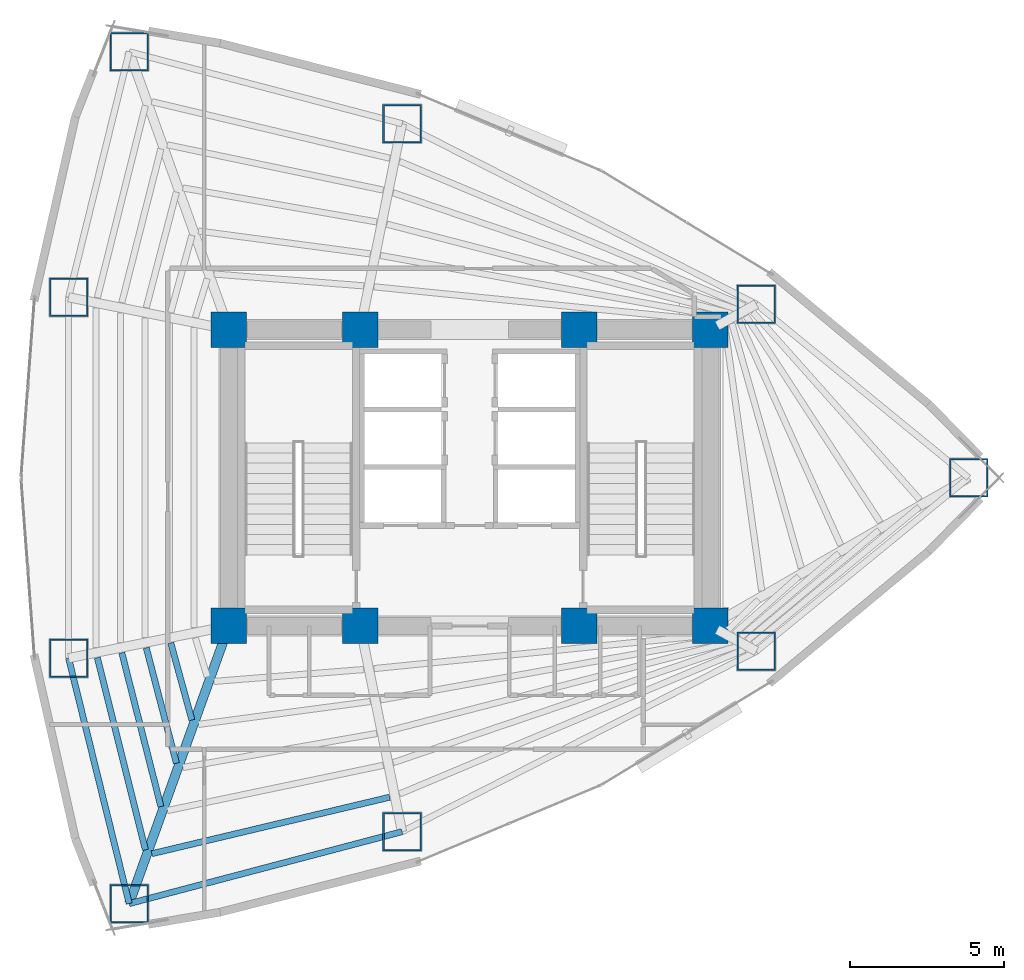
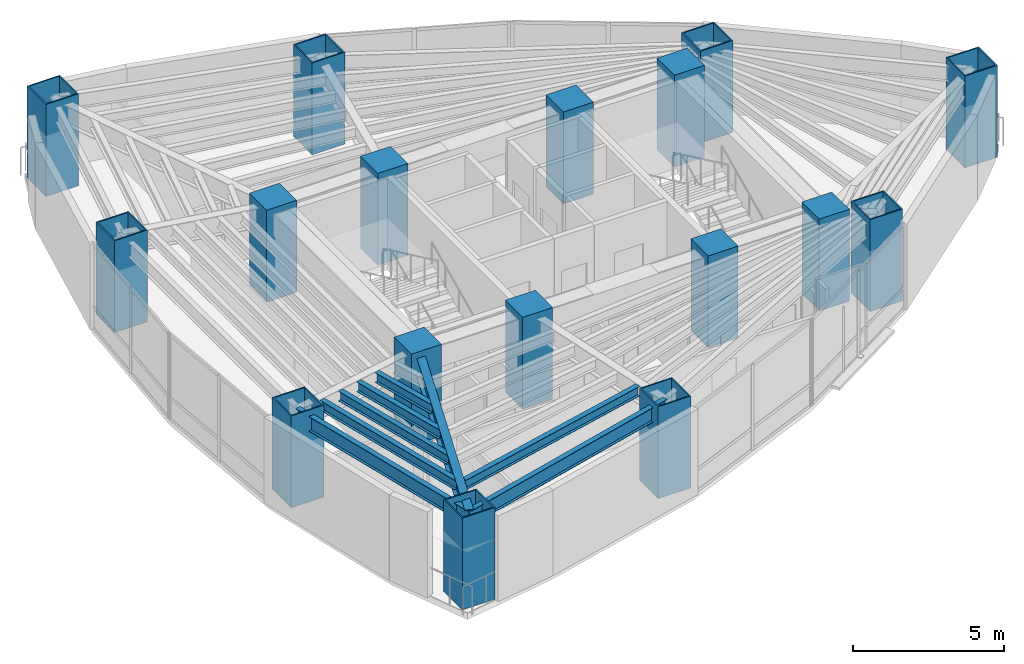
# One storey, part 1 of 18: 17 columns, 8 beams.
"""IFC4 building model written with IfcOpenShell, lengths in metres."""

from ifc_helpers import new_model, si_unit, direction, frame, origin, origin_2d, place, context, subcontext, project, spatial, rectangle, hollow_rectangle, i_section, extrude, material, material_profile, profile_set, type_object, element, save


model = new_model("IFC4")

# Units and contexts
model_context = context("Model", 3, precision=1e-05, world=origin(), true_north=direction((0.0, 1.0)))
body_context = subcontext(model_context, "Body", "Model", "MODEL_VIEW")
ifc_project = project(units=[si_unit("LENGTHUNIT", "METRE"), si_unit("AREAUNIT", "SQUARE_METRE"), si_unit("VOLUMEUNIT", "CUBIC_METRE"), si_unit("PLANEANGLEUNIT", "RADIAN"), si_unit("MASSUNIT", "GRAM", prefix="KILO")], contexts=[model_context])

# Site, building, storey
site_placement = place(None, origin())
site = spatial("IfcSite", under=ifc_project, at=site_placement, CompositionType="ELEMENT")
building_placement = place(site_placement, origin())
building = spatial("IfcBuilding", under=site, at=building_placement, Name="Menara Vayukalpa", CompositionType="ELEMENT")
storey_placement = place(building_placement, frame((0.0, 0.0, 96.5400390625)))
storey = spatial("IfcBuildingStorey", under=building, at=storey_placement, Name="L23", CompositionType="ELEMENT", Elevation=96.5400390625)

# Columns
ifc_material_1 = material(Name="Concrete C80/95", Category="concrete")
ifc_material_profile_1 = material_profile(ifc_material_1, rectangle(XDim=1.14990234375, YDim=1.14990234375, at=origin_2d()), Name="RC 1150x1150")
ifc_profile_set_1 = profile_set([ifc_material_profile_1], Name="Concrete C80/95")
column_type_1 = type_object("IfcColumnType", Name="COL-CC1", PredefinedType="COLUMN", material=ifc_profile_set_1)
for number, where, z_axis, x_axis, name in (
    (1, (17.800048828125, 17.199951171875, 0.0), (0.0, 0.0, 1.0), (1.0, 0.0, 0.0), "L23 Core Pilaster Column CC1"),
    (2, (22.050048828125, 17.199951171875, 0.0), (0.0, 0.0, 1.0), (1.0, 0.0, 0.0), "L23 Core Pilaster Column CC2"),
    (3, (29.14990234375, 17.199951171875, 0.0), (0.0, 0.0, 1.0), (1.0, 0.0, 0.0), "L23 Core Pilaster Column CC3"),
    (4, (33.39990234375, 17.199951171875, 0.0), (0.0, 0.0, 1.0), (1.0, 0.0, 0.0), "L23 Core Pilaster Column CC4"),
    (5, (17.800048828125, 26.800048828125, 0.0), (0.0, 0.0, 1.0), (1.0, 0.0, 0.0), "L23 Core Pilaster Column CC5"),
    (6, (22.050048828125, 26.800048828125, 0.0), (0.0, 0.0, 1.0), (1.0, 0.0, 0.0), "L23 Core Pilaster Column CC6"),
    (7, (29.14990234375, 26.800048828125, 0.0), (0.0, 0.0, 1.0), (1.0, 0.0, 0.0), "L23 Core Pilaster Column CC7"),
    (8, (33.39990234375, 26.800048828125, 0.0), (0.0, 0.0, 1.0), (1.0, 0.0, 0.0), "L23 Core Pilaster Column CC8"),
):
    element("IfcColumn", number, at=place(storey_placement, frame(where, z_axis=z_axis, x_axis=x_axis)), inside=storey, type_object=column_type_1, Name=name, PredefinedType="COLUMN", context=body_context, shape_type="SweptSolid", body=[
        extrude(rectangle(XDim=1.14990234375, YDim=1.14990234375, at=origin_2d()), origin(), (0.0, 0.0, 1.0), 3.719970703125),
    ])
ifc_material_2 = material(Name="Steel S460", Category="steel")
ifc_material_profile_2 = material_profile(ifc_material_2, hollow_rectangle(XDim=1.25, YDim=1.25, WallThickness=0.050048828125, at=origin_2d()), Name="BOX 1250x1250x50")
ifc_profile_set_2 = profile_set([ifc_material_profile_2], Name="Steel S460")
column_type_2 = type_object("IfcColumnType", Name="COL-MC2", PredefinedType="COLUMN", material=ifc_profile_set_2)
for number, where, z_axis, x_axis, name in (
    (9, (41.761962890625, 22.0, 0.0), (0.0, 0.0, 1.0), (1.0, 0.0, 0.0), "L23 Perimeter Mega Column P01"),
    (10, (34.88671875, 27.62158203125, 0.0), (0.0, 0.0, 1.0), (1.0, 0.0, 0.0), "L23 Perimeter Mega Column P02"),
    (11, (23.408203125, 33.46728515625, 0.0), (0.0, 0.0, 1.0), (1.0, 0.0, 0.0), "L23 Perimeter Mega Column P03"),
    (12, (14.569091796875, 35.79736328125, 0.0), (0.0, 0.0, 1.0), (1.0, 0.0, 0.0), "L23 Perimeter Mega Column P04"),
    (13, (12.606689453125, 27.845703125, 0.0), (0.0, 0.0, 1.0), (1.0, 0.0, 0.0), "L23 Perimeter Mega Column P05"),
    (14, (12.606689453125, 16.154296875, 0.0), (0.0, 0.0, 1.0), (1.0, 0.0, 0.0), "L23 Perimeter Mega Column P06"),
    (15, (14.569091796875, 8.20263671875, 0.0), (0.0, 0.0, 1.0), (1.0, 0.0, 0.0), "L23 Perimeter Mega Column P07"),
    (16, (23.408203125, 10.53271484375, 0.0), (0.0, 0.0, 1.0), (1.0, 0.0, 0.0), "L23 Perimeter Mega Column P08"),
    (17, (34.88671875, 16.37841796875, 0.0), (0.0, 0.0, 1.0), (1.0, 0.0, 0.0), "L23 Perimeter Mega Column P09"),
):
    element("IfcColumn", number, at=place(storey_placement, frame(where, z_axis=z_axis, x_axis=x_axis)), inside=storey, type_object=column_type_2, Name=name, PredefinedType="COLUMN", context=body_context, shape_type="SweptSolid", body=[
        extrude(hollow_rectangle(XDim=1.25, YDim=1.25, WallThickness=0.050048828125, at=origin_2d()), origin(), (0.0, 0.0, 1.0), 3.719970703125),
    ])

# Beams
ifc_material_3 = material(Name="Steel S355", Category="steel")
ifc_material_profile_3 = material_profile(ifc_material_3, i_section(OverallWidth=0.300048828125, OverallDepth=0.800048828125, WebThickness=0.013916015625, FlangeThickness=0.02587890625, at=origin_2d()), Name="WF 800x300x14x26")
ifc_profile_set_3 = profile_set([ifc_material_profile_3], Name="Steel S355")
beam_type_1 = type_object("IfcBeamType", Name="BM-PG3", PredefinedType="BEAM", material=ifc_profile_set_3)
beam_1_placement = place(storey_placement, frame((17.715576171875, 16.964599609375, 3.070068359375), z_axis=(-0.337975542909, -0.941154892882, 0.0), x_axis=(0.941154892882, -0.337975542909, 0.0)))
element("IfcBeam", 18, at=beam_1_placement, inside=storey, type_object=beam_type_1, Name="L23 Primary Radial Girder RG07", PredefinedType="BEAM", context=body_context, shape_type="SweptSolid", body=[
    extrude(i_section(OverallWidth=0.300048828125, OverallDepth=0.800048828125, WebThickness=0.013916015625, FlangeThickness=0.02587890625, at=origin_2d()), origin(), (0.0, 0.0, 1.0), 9.309814453125),
])
ifc_material_4 = material(Name="Steel S355", Category="steel")
ifc_material_profile_4 = material_profile(ifc_material_4, i_section(OverallWidth=0.199951171875, OverallDepth=0.39990234375, WebThickness=0.008056640625, FlangeThickness=0.012939453125, at=origin_2d()), Name="WF 400x200x8x13")
ifc_profile_set_4 = profile_set([ifc_material_profile_4], Name="Steel S355")
beam_type_2 = type_object("IfcBeamType", Name="BM-SJ2", PredefinedType="JOIST", material=ifc_profile_set_4)
beam_2_placement = place(storey_placement, frame((15.917236328125, 16.64794921875, 3.27001953125), z_axis=(0.263922858843, -0.964543790908, 0.0), x_axis=(0.964543790908, 0.263922858843, 0.0)))
element("IfcBeam", 19, at=beam_2_placement, inside=storey, type_object=beam_type_2, Name="L23 Secondary Floor Joist SJ06-2", PredefinedType="JOIST", context=body_context, shape_type="SweptSolid", body=[
    extrude(i_section(OverallWidth=0.199951171875, OverallDepth=0.39990234375, WebThickness=0.008056640625, FlangeThickness=0.012939453125, at=origin_2d()), origin(), (0.0, 0.0, 1.0), 2.590087890625),
])
beam_3_placement = place(storey_placement, frame((15.123779296875, 16.488037109375, 3.27001953125), z_axis=(0.252406469257, -0.967621296933, 0.0), x_axis=(0.967621296933, 0.252406469257, 0.0)))
element("IfcBeam", 20, at=beam_3_placement, inside=storey, type_object=beam_type_2, Name="L23 Secondary Floor Joist SJ06-3", PredefinedType="JOIST", context=body_context, shape_type="SweptSolid", body=[
    extrude(i_section(OverallWidth=0.199951171875, OverallDepth=0.39990234375, WebThickness=0.008056640625, FlangeThickness=0.012939453125, at=origin_2d()), origin(), (0.0, 0.0, 1.0), 3.865234375),
])
beam_4_placement = place(storey_placement, frame((14.330810546875, 16.328369140625, 3.27001953125), z_axis=(0.246311066692, -0.969190826631, 0.0), x_axis=(0.969190826631, 0.246311066692, 0.0)))
element("IfcBeam", 21, at=beam_4_placement, inside=storey, type_object=beam_type_2, Name="L23 Secondary Floor Joist SJ06-4", PredefinedType="JOIST", context=body_context, shape_type="SweptSolid", body=[
    extrude(i_section(OverallWidth=0.199951171875, OverallDepth=0.39990234375, WebThickness=0.008056640625, FlangeThickness=0.012939453125, at=origin_2d()), origin(), (0.0, 0.0, 1.0), 5.140380859375),
])
beam_5_placement = place(storey_placement, frame((13.53857421875, 16.168701171875, 3.27001953125), z_axis=(0.242481900969, -0.970155929582, 0.0), x_axis=(0.970155929582, 0.242481900969, 0.0)))
element("IfcBeam", 22, at=beam_5_placement, inside=storey, type_object=beam_type_2, Name="L23 Secondary Floor Joist SJ06-5", PredefinedType="JOIST", context=body_context, shape_type="SweptSolid", body=[
    extrude(i_section(OverallWidth=0.199951171875, OverallDepth=0.39990234375, WebThickness=0.008056640625, FlangeThickness=0.012939453125, at=origin_2d()), origin(), (0.0, 0.0, 1.0), 6.41552734375),
])
beam_6_placement = place(storey_placement, frame((15.30078125, 9.819091796875, 3.27001953125), z_axis=(0.97293603101, 0.231074619036, 0.0), x_axis=(-0.231074619036, 0.97293603101, 0.0)))
element("IfcBeam", 23, at=beam_6_placement, inside=storey, type_object=beam_type_2, Name="L23 Secondary Floor Joist SJ07-5", PredefinedType="JOIST", context=body_context, shape_type="SweptSolid", body=[
    extrude(i_section(OverallWidth=0.199951171875, OverallDepth=0.39990234375, WebThickness=0.008056640625, FlangeThickness=0.012939453125, at=origin_2d()), origin(), (0.0, 0.0, 1.0), 7.9208984375),
])
ifc_material_5 = material(Name="Steel S355", Category="steel")
ifc_material_profile_5 = material_profile(ifc_material_5, i_section(OverallWidth=0.199951171875, OverallDepth=0.60009765625, WebThickness=0.010986328125, FlangeThickness=0.01708984375, at=origin_2d()), Name="WF 600x200x11x17")
ifc_profile_set_5 = profile_set([ifc_material_profile_5], Name="Steel S355")
beam_type_3 = type_object("IfcBeamType", Name="BM-SP1", PredefinedType="SPANDREL", material=ifc_profile_set_5)
beam_7_placement = place(storey_placement, frame((12.606689453125, 16.154296875, 3.169921875), z_axis=(0.239602739234, -0.970871014786, 0.0), x_axis=(0.970871014786, 0.239602739234, 0.0)))
element("IfcBeam", 24, at=beam_7_placement, inside=storey, type_object=beam_type_3, Name="L23 Perimeter Spandrel Beam SP06", PredefinedType="SPANDREL", context=body_context, shape_type="SweptSolid", body=[
    extrude(i_section(OverallWidth=0.199951171875, OverallDepth=0.60009765625, WebThickness=0.010986328125, FlangeThickness=0.01708984375, at=origin_2d()), origin(), (0.0, 0.0, 1.0), 8.190185546875),
])
beam_8_placement = place(storey_placement, frame((14.569091796875, 8.20263671875, 3.169921875), z_axis=(0.966966857313, 0.254902131921, 0.0), x_axis=(-0.254902131921, 0.966966857313, 0.0)))
element("IfcBeam", 25, at=beam_8_placement, inside=storey, type_object=beam_type_3, Name="L23 Perimeter Spandrel Beam SP07", PredefinedType="SPANDREL", context=body_context, shape_type="SweptSolid", body=[
    extrude(i_section(OverallWidth=0.199951171875, OverallDepth=0.60009765625, WebThickness=0.010986328125, FlangeThickness=0.01708984375, at=origin_2d()), origin(), (0.0, 0.0, 1.0), 9.14111328125),
])

save(model, "model.ifc")
